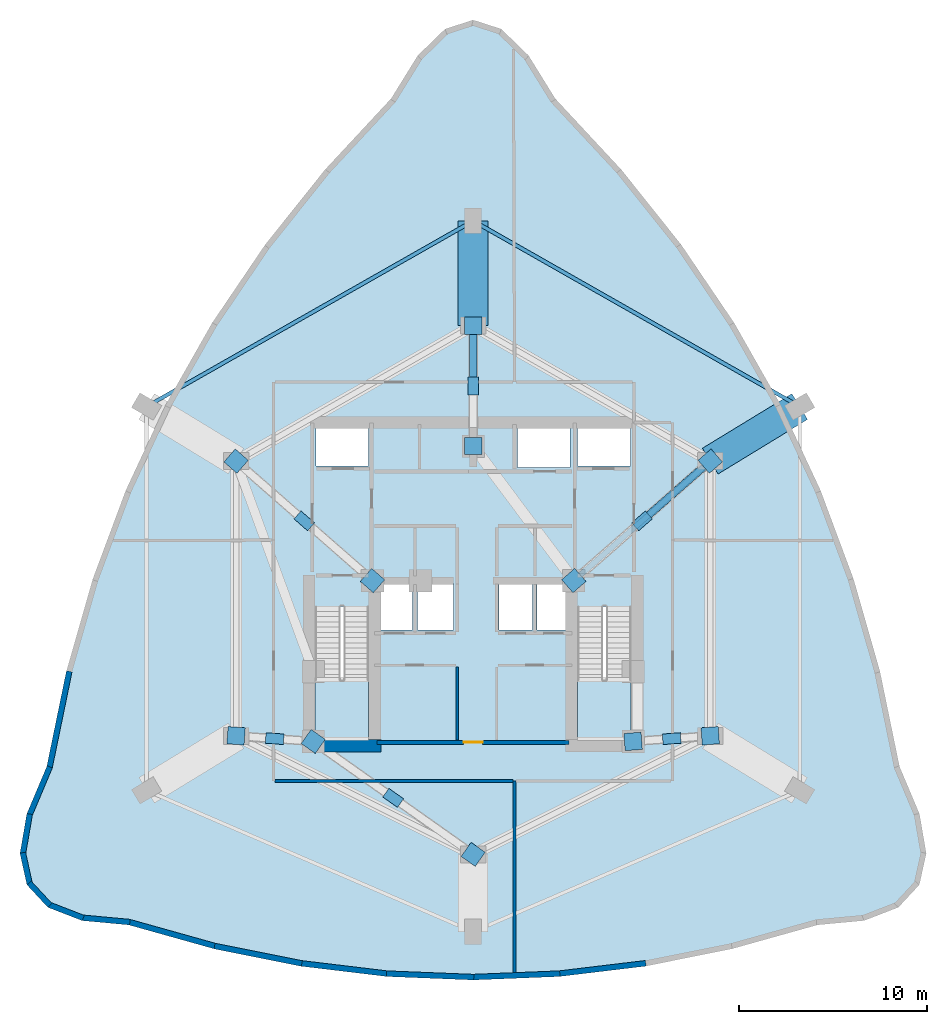
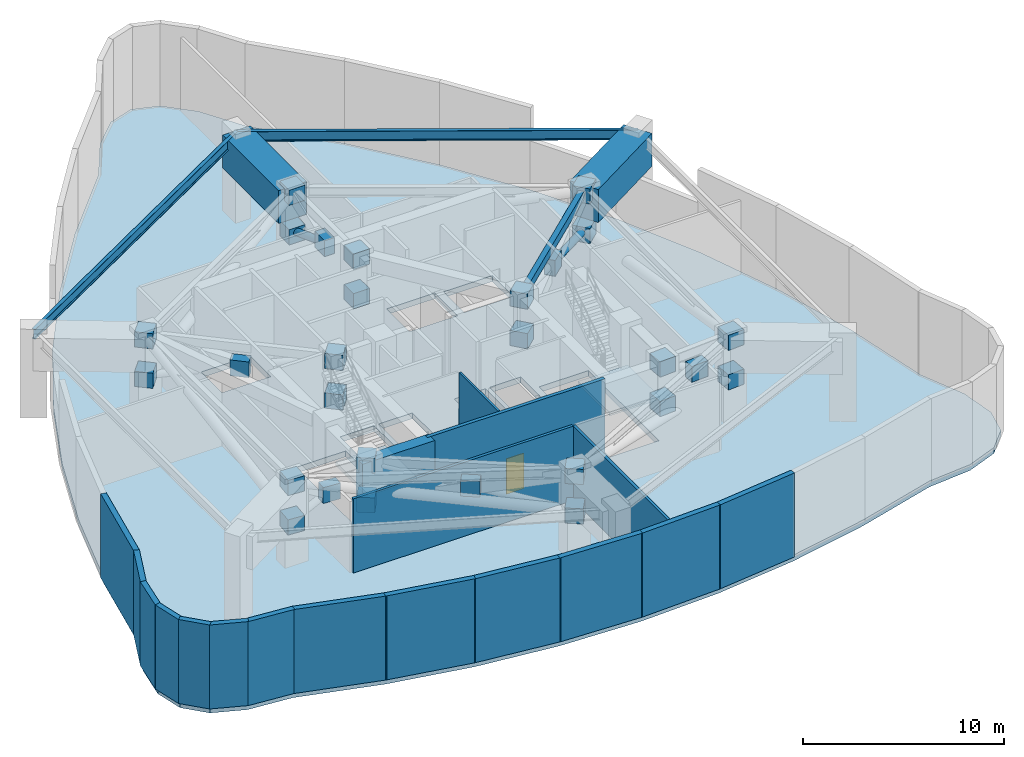
# One storey, part 2 of 6: 28 plates, 18 walls, 4 beams, 3 members, 3 slabs, 1 door, 1 opening, 2 elements without a shape of their own.
"""IFC4 building model written with IfcOpenShell, lengths in metres."""

import ifcopenshell
import ifcopenshell.guid

model = None  # the IFC model being written
_history = None  # IfcOwnerHistory: only IFC2X3 demands one
_inside = {}  # id of a spatial element -> (the spatial element, [elements in it])
_under = {}  # id of a project, library or spatial element -> (it, [spatial elements below it])
_declared = {}  # id of a project -> (the project, [libraries it declares])
_typed = {}  # id of a type object -> (the type object, [elements of that type])
_made_of = {}  # id of a material, layer set ... -> (it, [elements and type objects made of it])


def new_model(schema):
    """Start an empty IFC model of exactly this schema.

    Asked for "IFC4X3", IfcOpenShell would pick the latest addendum, in which some entities
    have other attributes; the version numbers below select the first issue.
    IFC2X3 requires an IfcOwnerHistory on every rooted entity: one is made here for all.
    """
    global model, _history
    if schema == "IFC4X3":
        model = ifcopenshell.file(schema_version=(4, 3, 0, 0))
    else:
        model = ifcopenshell.file(schema=schema)
    _inside.clear()
    _under.clear()
    _declared.clear()
    _typed.clear()
    _made_of.clear()
    _history = None
    if model.schema == "IFC2X3":
        org = make("IfcOrganization", Name="unknown")
        user = make(
            "IfcPersonAndOrganization",
            ThePerson=make("IfcPerson", FamilyName="unknown"),
            TheOrganization=org,
        )
        app = make(
            "IfcApplication",
            ApplicationDeveloper=org,
            Version="unknown",
            ApplicationFullName="unknown",
            ApplicationIdentifier="unknown",
        )
        _history = make(
            "IfcOwnerHistory",
            OwningUser=user,
            OwningApplication=app,
            ChangeAction="ADDED",
            CreationDate=0,
        )
    return model


def make(cls, **values):
    """One entity of the class cls with the attributes given. An attribute that is None is left unset."""
    return model.create_entity(
        cls, **{name: value for name, value in values.items() if value is not None}
    )


def rooted(cls, **values):
    """An entity with a GlobalId (a new one), such as an element, a storey or a relation."""
    return make(cls, GlobalId=ifcopenshell.guid.new(), OwnerHistory=_history, **values)


def si_unit(unit_type, name, prefix=None):
    """IfcSIUnit, for example si_unit("LENGTHUNIT", "METRE", prefix="MILLI")."""
    return make("IfcSIUnit", UnitType=unit_type, Prefix=prefix, Name=name)


def assignment(units):
    """IfcUnitAssignment: the units of a project."""
    return None if units is None else make("IfcUnitAssignment", Units=units)


def point(xyz):
    """IfcCartesianPoint."""
    return None if xyz is None else make("IfcCartesianPoint", Coordinates=xyz)


def direction(xyz):
    """IfcDirection."""
    return None if xyz is None else make("IfcDirection", DirectionRatios=xyz)


def frame(location, z_axis=None, x_axis=None):
    """IfcAxis2Placement3D, a coordinate frame: its origin and axes. An axis left out is left unset."""
    return make(
        "IfcAxis2Placement3D",
        Location=point(location),
        Axis=direction(z_axis),
        RefDirection=direction(x_axis),
    )


def frame_2d(location, x_axis=None):
    """IfcAxis2Placement2D, a coordinate frame in the plane: its origin and x axis."""
    return make(
        "IfcAxis2Placement2D", Location=point(location), RefDirection=direction(x_axis)
    )


def origin():
    """The frame at (0, 0, 0) with its axes left unset."""
    return frame((0.0, 0.0, 0.0))


def origin_2d():
    """The frame at (0, 0) in the plane with its x axis left unset."""
    return frame_2d((0.0, 0.0))


def place(relative_to, where):
    """IfcLocalPlacement: puts the frame where relative to a parent placement (None: the world)."""
    return make(
        "IfcLocalPlacement", PlacementRelTo=relative_to, RelativePlacement=where
    )


def context(
    kind, dimensions, precision=None, world=None, true_north=None, identifier=None
):
    """IfcGeometricRepresentationContext, for example the 3D "Model" context."""
    return make(
        "IfcGeometricRepresentationContext",
        ContextIdentifier=identifier,
        ContextType=kind,
        CoordinateSpaceDimension=dimensions,
        Precision=precision,
        WorldCoordinateSystem=world,
        TrueNorth=true_north,
    )


def subcontext(parent, identifier, kind, view, scale=None):
    """IfcGeometricRepresentationSubContext, for example "Body" below "Model"."""
    return make(
        "IfcGeometricRepresentationSubContext",
        ContextIdentifier=identifier,
        ContextType=kind,
        ParentContext=parent,
        TargetScale=scale,
        TargetView=view,
    )


def project(units=None, contexts=None):
    """IfcProject with its units and contexts."""
    return rooted(
        "IfcProject",
        Name="project",
        RepresentationContexts=contexts,
        UnitsInContext=assignment(units),
    )


def spatial(cls, under=None, at=None, **own):
    """A site, building, storey or space (cls), placed at a placement, below another one or the project."""
    s = rooted(cls, ObjectPlacement=at, **own)
    if under is not None:
        _under.setdefault(under.id(), (under, []))[1].append(s)
    return s


def polyline(points):
    """IfcPolyline through the points."""
    return make("IfcPolyline", Points=[point(p) for p in points])


def profile(cls, at=None, kind="AREA", **sizes):
    """A parametric profile (cls). Its sizes go by their IFC names, for example OverallWidth=200.0."""
    return make(cls, ProfileType=kind, Position=at, **sizes)


def rectangle(**sizes):
    """IfcRectangleProfileDef."""
    return profile("IfcRectangleProfileDef", **sizes)


def hollow_rectangle(**sizes):
    """IfcRectangleHollowProfileDef."""
    return profile("IfcRectangleHollowProfileDef", **sizes)


def hollow_circle(**sizes):
    """IfcCircleHollowProfileDef."""
    return profile("IfcCircleHollowProfileDef", **sizes)


def i_section(**sizes):
    """IfcIShapeProfileDef."""
    return profile("IfcIShapeProfileDef", **sizes)


def outline(outer, holes=None, kind="AREA"):
    """IfcArbitraryClosedProfileDef: a profile drawn as a closed curve; with holes, ...WithVoids."""
    if holes is None:
        return make("IfcArbitraryClosedProfileDef", ProfileType=kind, OuterCurve=outer)
    return make(
        "IfcArbitraryProfileDefWithVoids",
        ProfileType=kind,
        OuterCurve=outer,
        InnerCurves=holes,
    )


def extrude(swept, where, along, depth):
    """IfcExtrudedAreaSolid: the profile swept, set in the frame where, extruded along a direction by depth."""
    return make(
        "IfcExtrudedAreaSolid",
        SweptArea=swept,
        Position=where,
        ExtrudedDirection=direction(along),
        Depth=depth,
    )


def shape(context_of_items, identifier, shape_type, items):
    """IfcShapeRepresentation: the items that make up one representation, for example the "Body"."""
    return make(
        "IfcShapeRepresentation",
        ContextOfItems=context_of_items,
        RepresentationIdentifier=identifier,
        RepresentationType=shape_type,
        Items=items,
    )


def material(Name=None, Category=None):
    """IfcMaterial."""
    return make("IfcMaterial", Name=Name, Category=Category)


def layer(
    of_material, thickness, ventilated=None, Name=None, Category=None, Priority=None
):
    """IfcMaterialLayer: one layer of a wall or slab, of a material (None: an air gap)."""
    return make(
        "IfcMaterialLayer",
        Material=of_material,
        LayerThickness=thickness,
        IsVentilated=ventilated,
        Name=Name,
        Category=Category,
        Priority=Priority,
    )


def layer_set(layers, Name=None):
    """IfcMaterialLayerSet."""
    return make("IfcMaterialLayerSet", MaterialLayers=layers, LayerSetName=Name)


def material_profile(
    of_material, cross_section, Name=None, Category=None, Priority=None
):
    """IfcMaterialProfile: a cross section and its material."""
    return make(
        "IfcMaterialProfile",
        Name=Name,
        Material=of_material,
        Profile=cross_section,
        Priority=Priority,
        Category=Category,
    )


def profile_set(profiles, Name=None, composite=None):
    """IfcMaterialProfileSet."""
    return make(
        "IfcMaterialProfileSet",
        Name=Name,
        MaterialProfiles=profiles,
        CompositeProfile=composite,
    )


def made_of(thing, what):
    """Note that an element or type object is made of a material, layer set ...; save() writes the relation."""
    if what is not None:
        _made_of.setdefault(what.id(), (what, []))[1].append(thing)
    return thing


def type_object(cls, material=None, **own):
    """A type object (cls), such as IfcWallType, which elements share."""
    return made_of(rooted(cls, **own), material)


def element(
    cls,
    number,
    at=None,
    inside=None,
    cuts=None,
    type_object=None,
    material=None,
    context=None,
    identifier="Body",
    shape_type=None,
    held_by="IfcProductDefinitionShape",
    body=None,
    shapes=None,
    **own,
):
    """One element of the class cls, such as IfcWall. Its Tag is "e" and its number.

    at: its placement. inside: the storey or other place that contains it. cuts: it is an
    opening in that element (IfcRelVoidsElement). A single representation is given by context,
    identifier, shape_type and body (its items); several are given by shapes. held_by: the class
    of the entity that holds the representations. save() writes the other relations.
    """
    e = rooted(cls, Tag="e%d" % number, ObjectPlacement=at, **own)
    if body is not None:
        shapes = [shape(context, identifier, shape_type, body)]
    if shapes is not None:
        e.Representation = make(held_by, Representations=shapes)
    if inside is not None:
        _inside.setdefault(inside.id(), (inside, []))[1].append(e)
    if cuts is not None:
        rooted(
            "IfcRelVoidsElement", RelatingBuildingElement=cuts, RelatedOpeningElement=e
        )
    if type_object is not None:
        _typed.setdefault(type_object.id(), (type_object, []))[1].append(e)
    return made_of(e, material)


def fill(opening, filler):
    """IfcRelFillsElement: the door or window that sits in an opening."""
    return rooted(
        "IfcRelFillsElement",
        RelatingOpeningElement=opening,
        RelatedBuildingElement=filler,
    )


def aggregate(whole, parts):
    """IfcRelAggregates: a whole, such as a stair, and the parts it consists of."""
    return rooted("IfcRelAggregates", RelatingObject=whole, RelatedObjects=parts)


def save(model, path):
    """Write the relations noted so far, then the file.

    IfcRelAggregates (storeys below a building ...), IfcRelContainedInSpatialStructure (elements
    in a storey), IfcRelDefinesByType, IfcRelAssociatesMaterial and IfcRelDeclares: one each for
    every whole, place, type object, material and project.
    """
    for whole, parts in _under.values():
        aggregate(whole, parts)
    for where, things in _inside.values():
        rooted(
            "IfcRelContainedInSpatialStructure",
            RelatedElements=things,
            RelatingStructure=where,
        )
    for kind, things in _typed.values():
        rooted("IfcRelDefinesByType", RelatedObjects=things, RelatingType=kind)
    for what, things in _made_of.values():
        rooted("IfcRelAssociatesMaterial", RelatedObjects=things, RelatingMaterial=what)
    for by, libraries in _declared.values():
        rooted("IfcRelDeclares", RelatingContext=by, RelatedDefinitions=libraries)
    model.write(path)


model = new_model("IFC4")

# Units and contexts
model_context = context("Model", 3, precision=1e-05, world=origin(), true_north=direction((0.0, 1.0)))
body_context = subcontext(model_context, "Body", "Model", "MODEL_VIEW")
ifc_project = project(units=[si_unit("LENGTHUNIT", "METRE"), si_unit("AREAUNIT", "SQUARE_METRE"), si_unit("VOLUMEUNIT", "CUBIC_METRE"), si_unit("PLANEANGLEUNIT", "RADIAN"), si_unit("MASSUNIT", "GRAM", prefix="KILO")], contexts=[model_context])

# Site, building, storey
site_placement = place(None, origin())
site = spatial("IfcSite", under=ifc_project, at=site_placement, CompositionType="ELEMENT")
building_placement = place(site_placement, origin())
building = spatial("IfcBuilding", under=site, at=building_placement, Name="Miruveldt Soraemaru", CompositionType="ELEMENT")
storey_placement = place(building_placement, frame((0.0, 0.0, 90.39990234375)))
storey = spatial("IfcBuildingStorey", under=building, at=storey_placement, Name="L25", CompositionType="ELEMENT", Elevation=90.39990234375)

# Beams
ifc_material_1 = material(Name="Steel SM355 (355 MPa)", Category="steel")
ifc_material_profile_1 = material_profile(ifc_material_1, i_section(OverallWidth=0.199951171875, OverallDepth=0.60009765625, WebThickness=0.010986328125, FlangeThickness=0.01708984375, FilletRadius=0.02197265625, at=origin_2d()), Name="Steel SM355 (355 MPa)", Category="steel")
ifc_profile_set_1 = profile_set([ifc_material_profile_1], Name="Steel SM355 (355 MPa)")
beam_type_1 = type_object("IfcBeamType", Name="BM-ST-H600", PredefinedType="SPANDREL", material=ifc_profile_set_1)
for number, where, z_axis, x_axis, name in (
    (1, (44.0, 63.16796875, 4.800048828125), (0.869314947608, -0.494258557706, 0.0), (0.494258557706, 0.869314947608, 0.0), "L25 Zone-1 Spandrel Beam 1"),
    (2, (26.64404296875, 53.300048828125, 4.800048828125), (0.869314947608, 0.494258557706, 0.0), (-0.494258557706, 0.869314947608, 0.0), "L25 Zone-1 Spandrel Beam 6"),
):
    element("IfcBeam", number, at=place(storey_placement, frame(where, z_axis=z_axis, x_axis=x_axis)), inside=storey, type_object=beam_type_1, Name=name, PredefinedType="SPANDREL", context=body_context, shape_type="SweptSolid", body=[
        extrude(i_section(OverallWidth=0.199951171875, OverallDepth=0.60009765625, WebThickness=0.010986328125, FlangeThickness=0.01708984375, FilletRadius=0.02197265625, at=origin_2d()), origin(), (0.0, 0.0, 1.0), 19.965087890625),
    ])
ifc_material_2 = material(Name="Concrete C70/85 (70 MPa)", Category="concrete")
ifc_material_profile_2 = material_profile(ifc_material_2, rectangle(XDim=1.60009765625, YDim=2.0, at=origin_2d()), Name="Concrete C70/85 (70 MPa)", Category="concrete")
ifc_profile_set_2 = profile_set([ifc_material_profile_2], Name="Concrete C70/85 (70 MPa)")
beam_type_2 = type_object("IfcBeamType", Name="BM-TG-1600x2000", PredefinedType="USERDEFINED", material=ifc_profile_set_2)
beam_1_placement = place(storey_placement, frame((44.0, 57.60009765625, 4.10009765625), z_axis=(0.0, 1.0, 0.0), x_axis=(-1.0, 0.0, 0.0)))
element("IfcBeam", 3, at=beam_1_placement, inside=storey, type_object=beam_type_2, Name="L25 Continuous Zone-2 Transfer Girder 1", ObjectType="TRANSFER GIRDER", PredefinedType="USERDEFINED", context=body_context, shape_type="SweptSolid", body=[
    extrude(rectangle(XDim=1.60009765625, YDim=2.0, at=origin_2d()), origin(), (0.0, 0.0, 1.0), 5.56787109375),
])
beam_2_placement = place(storey_placement, frame((56.60009765625, 50.39990234375, 4.10009765625), z_axis=(0.853777644156, 0.520637814935, 0.0), x_axis=(-0.520637814935, 0.853777644156, 0.0)))
element("IfcBeam", 4, at=beam_2_placement, inside=storey, type_object=beam_type_2, Name="L25 Continuous Zone-2 Transfer Girder 2", ObjectType="TRANSFER GIRDER", PredefinedType="USERDEFINED", context=body_context, shape_type="SweptSolid", body=[
    extrude(rectangle(XDim=1.60009765625, YDim=2.0, at=origin_2d()), origin(), (0.0, 0.0, 1.0), 5.5703125),
])

# Members
ifc_material_3 = material(Name="Steel S460 (460 MPa)", Category="steel")
ifc_material_profile_3 = material_profile(ifc_material_3, hollow_rectangle(XDim=0.300048828125, YDim=0.5, WallThickness=0.02001953125, at=origin_2d()), Name="Steel S460 (460 MPa)", Category="steel")
ifc_profile_set_3 = profile_set([ifc_material_profile_3], Name="Steel S460 (460 MPa)")
member_type_1 = type_object("IfcMemberType", Name="MEM-CHD-RHS500", PredefinedType="CHORD", material=ifc_profile_set_3)
member_1_placement = place(storey_placement, frame((49.35009765625, 44.050048828125, 4.820068359375), z_axis=(0.752262759904, 0.658863218021, 0.0), x_axis=(-0.658863218021, 0.752262759904, 0.0)))
element("IfcMember", 5, at=member_1_placement, inside=storey, type_object=member_type_1, Name="L25 Outrigger Top Chord 2", PredefinedType="CHORD", context=body_context, shape_type="SweptSolid", body=[
    extrude(hollow_rectangle(XDim=0.300048828125, YDim=0.5, WallThickness=0.02001953125, at=origin_2d()), origin(), (0.0, 0.0, 1.0), 9.6376953125),
])
ifc_material_profile_4 = material_profile(ifc_material_3, hollow_circle(Radius=0.203125, WallThickness=0.01611328125, at=origin_2d()), Name="Steel S460 (460 MPa)", Category="steel")
ifc_profile_set_4 = profile_set([ifc_material_profile_4], Name="Steel S460 (460 MPa)")
member_type_2 = type_object("IfcMemberType", Name="MEM-STR-CHS406", PredefinedType="STRUT", material=ifc_profile_set_4)
member_2_placement = place(storey_placement, frame((44.0, 54.39990234375, 3.6201171875), z_axis=(0.0, 0.936340919421, -0.351092128391), x_axis=(-1.0, 0.0, 0.0)))
element("IfcMember", 6, at=member_2_placement, inside=storey, type_object=member_type_2, Name="L25 Outrigger Split Strut Lower 1B", PredefinedType="STRUT", context=body_context, shape_type="SweptSolid", body=[
    extrude(hollow_circle(Radius=0.203125, WallThickness=0.01611328125, at=origin_2d()), origin(), (0.0, 0.0, 1.0), 3.417724609375),
])
member_3_placement = place(storey_placement, frame((52.97509765625, 47.22509765625, 3.6201171875), z_axis=(0.729982452121, 0.639324609872, -0.241639530723), x_axis=(-0.658848882232, 0.752275315547, 0.0)))
element("IfcMember", 7, at=member_3_placement, inside=storey, type_object=member_type_2, Name="L25 Outrigger Split Strut Lower 2B", PredefinedType="STRUT", context=body_context, shape_type="SweptSolid", body=[
    extrude(hollow_circle(Radius=0.203125, WallThickness=0.01611328125, at=origin_2d()), origin(), (0.0, 0.0, 1.0), 4.9658203125),
])

# Plates
ifc_layer_1 = layer(ifc_material_3, 0.028076171875, Name="Steel S460 (460 MPa)", Category="steel")
ifc_layer_set_1 = layer_set([ifc_layer_1], Name="Steel S460 (460 MPa)")
plate_type = type_object("IfcPlateType", Name="PLT-GUSSET-28", PredefinedType="USERDEFINED", material=ifc_layer_set_1)
plate_1_placement = place(storey_placement, frame((44.0, 54.39990234375, 3.14013671875), z_axis=(0.0, 0.0, 1.0), x_axis=(0.0, 1.0, 0.0)))
element("IfcPlate", 8, at=plate_1_placement, inside=storey, type_object=plate_type, Name="L25 Outrigger X-Brace Crossing Gusset Plate 1", ObjectType="GUSSET", PredefinedType="USERDEFINED", context=body_context, shape_type="SweptSolid", body=[
    extrude(rectangle(XDim=0.9599609375, YDim=0.56005859375, at=origin_2d()), origin(), (0.0, 0.0, 1.0), 0.9599609375),
])
for number, where, z_axis, x_axis, name in (
    (9, (44.0, 51.199951171875, 1.960205078125), (0.0, 0.0, 1.0), (0.0, 1.0, 0.0), "L25 Outrigger Node Gusset Plate 1CB"),
    (10, (44.0, 51.199951171875, 4.360107421875), (0.0, 0.0, 1.0), (0.0, 1.0, 0.0), "L25 Outrigger Node Gusset Plate 1CT"),
    (11, (44.0, 57.60009765625, 1.960205078125), (0.0, 0.0, 1.0), (0.0, 1.0, 0.0), "L25 Outrigger Node Gusset Plate 1IB"),
    (12, (44.0, 57.60009765625, 4.360107421875), (0.0, 0.0, 1.0), (0.0, 1.0, 0.0), "L25 Outrigger Node Gusset Plate 1IT"),
):
    element("IfcPlate", number, at=place(storey_placement, frame(where, z_axis=z_axis, x_axis=x_axis)), inside=storey, type_object=plate_type, Name=name, ObjectType="GUSSET", PredefinedType="USERDEFINED", context=body_context, shape_type="SweptSolid", body=[
        extrude(rectangle(XDim=0.919921875, YDim=0.919921875, at=origin_2d()), origin(), (0.0, 0.0, 1.0), 0.919921875),
    ])
plate_2_placement = place(storey_placement, frame((52.97509765625, 47.22509765625, 3.14013671875), z_axis=(0.0, 0.0, 1.0), x_axis=(0.752299934438, 0.658820771261, 0.0)))
element("IfcPlate", 13, at=plate_2_placement, inside=storey, type_object=plate_type, Name="L25 Outrigger X-Brace Crossing Gusset Plate 2", ObjectType="GUSSET", PredefinedType="USERDEFINED", context=body_context, shape_type="SweptSolid", body=[
    extrude(rectangle(XDim=0.9599609375, YDim=0.56005859375, at=origin_2d()), origin(), (0.0, 0.0, 1.0), 0.9599609375),
])
for number, where, z_axis, x_axis, name in (
    (14, (49.35009765625, 44.050048828125, 1.960205078125), (0.0, 0.0, 1.0), (0.752299934438, 0.658820771261, 0.0), "L25 Outrigger Node Gusset Plate 2CB"),
    (15, (49.35009765625, 44.050048828125, 4.360107421875), (0.0, 0.0, 1.0), (0.752299934438, 0.658820771261, 0.0), "L25 Outrigger Node Gusset Plate 2CT"),
    (16, (56.60009765625, 50.39990234375, 1.960205078125), (0.0, 0.0, 1.0), (0.752299934438, 0.658820771261, 0.0), "L25 Outrigger Node Gusset Plate 2IB"),
    (17, (56.60009765625, 50.39990234375, 4.360107421875), (0.0, 0.0, 1.0), (0.752299934438, 0.658820771261, 0.0), "L25 Outrigger Node Gusset Plate 2IT"),
):
    element("IfcPlate", number, at=place(storey_placement, frame(where, z_axis=z_axis, x_axis=x_axis)), inside=storey, type_object=plate_type, Name=name, ObjectType="GUSSET", PredefinedType="USERDEFINED", context=body_context, shape_type="SweptSolid", body=[
        extrude(rectangle(XDim=0.919921875, YDim=0.919921875, at=origin_2d()), origin(), (0.0, 0.0, 1.0), 0.919921875),
    ])
plate_3_placement = place(storey_placement, frame((54.550048828125, 35.64990234375, 3.14013671875), z_axis=(0.0, 0.0, 1.0), x_axis=(0.997339981418, 0.072890064247, 0.0)))
element("IfcPlate", 18, at=plate_3_placement, inside=storey, type_object=plate_type, Name="L25 Outrigger X-Brace Crossing Gusset Plate 3", ObjectType="GUSSET", PredefinedType="USERDEFINED", context=body_context, shape_type="SweptSolid", body=[
    extrude(rectangle(XDim=0.9599609375, YDim=0.56005859375, at=origin_2d()), origin(), (0.0, 0.0, 1.0), 0.9599609375),
])
for number, where, z_axis, x_axis, name in (
    (19, (52.5, 35.5, 1.960205078125), (0.0, 0.0, 1.0), (0.997339981418, 0.072890064247, 0.0), "L25 Outrigger Node Gusset Plate 3CB"),
    (20, (52.5, 35.5, 4.360107421875), (0.0, 0.0, 1.0), (0.997339981418, 0.072890064247, 0.0), "L25 Outrigger Node Gusset Plate 3CT"),
    (21, (56.60009765625, 35.800048828125, 1.960205078125), (0.0, 0.0, 1.0), (0.997339981418, 0.072890064247, 0.0), "L25 Outrigger Node Gusset Plate 3IB"),
    (22, (56.60009765625, 35.800048828125, 4.360107421875), (0.0, 0.0, 1.0), (0.997339981418, 0.072890064247, 0.0), "L25 Outrigger Node Gusset Plate 3IT"),
):
    element("IfcPlate", number, at=place(storey_placement, frame(where, z_axis=z_axis, x_axis=x_axis)), inside=storey, type_object=plate_type, Name=name, ObjectType="GUSSET", PredefinedType="USERDEFINED", context=body_context, shape_type="SweptSolid", body=[
        extrude(rectangle(XDim=0.919921875, YDim=0.919921875, at=origin_2d()), origin(), (0.0, 0.0, 1.0), 0.919921875),
    ])
plate_4_placement = place(storey_placement, frame((39.75, 32.5, 3.14013671875), z_axis=(0.0, 0.0, 1.0), x_axis=(0.816943635719, -0.576717518425, 0.0)))
element("IfcPlate", 23, at=plate_4_placement, inside=storey, type_object=plate_type, Name="L25 Outrigger X-Brace Crossing Gusset Plate 4", ObjectType="GUSSET", PredefinedType="USERDEFINED", context=body_context, shape_type="SweptSolid", body=[
    extrude(rectangle(XDim=0.9599609375, YDim=0.56005859375, at=origin_2d()), origin(), (0.0, 0.0, 1.0), 0.9599609375),
])
for number, where, z_axis, x_axis, name in (
    (24, (35.5, 35.5, 1.960205078125), (0.0, 0.0, 1.0), (0.816943635719, -0.576717518425, 0.0), "L25 Outrigger Node Gusset Plate 4CB"),
    (25, (35.5, 35.5, 4.360107421875), (0.0, 0.0, 1.0), (0.816943635719, -0.576717518425, 0.0), "L25 Outrigger Node Gusset Plate 4CT"),
    (26, (44.0, 29.5, 1.960205078125), (0.0, 0.0, 1.0), (0.816943635719, -0.576717518425, 0.0), "L25 Outrigger Node Gusset Plate 4IB"),
    (27, (44.0, 29.5, 4.360107421875), (0.0, 0.0, 1.0), (0.816943635719, -0.576717518425, 0.0), "L25 Outrigger Node Gusset Plate 4IT"),
):
    element("IfcPlate", number, at=place(storey_placement, frame(where, z_axis=z_axis, x_axis=x_axis)), inside=storey, type_object=plate_type, Name=name, ObjectType="GUSSET", PredefinedType="USERDEFINED", context=body_context, shape_type="SweptSolid", body=[
        extrude(rectangle(XDim=0.919921875, YDim=0.919921875, at=origin_2d()), origin(), (0.0, 0.0, 1.0), 0.919921875),
    ])
plate_5_placement = place(storey_placement, frame((33.449951171875, 35.64990234375, 3.14013671875), z_axis=(0.0, 0.0, 1.0), x_axis=(-0.997339981418, 0.072890064247, 0.0)))
element("IfcPlate", 28, at=plate_5_placement, inside=storey, type_object=plate_type, Name="L25 Outrigger X-Brace Crossing Gusset Plate 5", ObjectType="GUSSET", PredefinedType="USERDEFINED", context=body_context, shape_type="SweptSolid", body=[
    extrude(rectangle(XDim=0.9599609375, YDim=0.56005859375, at=origin_2d()), origin(), (0.0, 0.0, 1.0), 0.9599609375),
])
for number, where, z_axis, x_axis, name in (
    (29, (31.39990234375, 35.800048828125, 1.960205078125), (0.0, 0.0, 1.0), (-0.997339981418, 0.072890064247, 0.0), "L25 Outrigger Node Gusset Plate 5IB"),
    (30, (31.39990234375, 35.800048828125, 4.360107421875), (0.0, 0.0, 1.0), (-0.997339981418, 0.072890064247, 0.0), "L25 Outrigger Node Gusset Plate 5IT"),
):
    element("IfcPlate", number, at=place(storey_placement, frame(where, z_axis=z_axis, x_axis=x_axis)), inside=storey, type_object=plate_type, Name=name, ObjectType="GUSSET", PredefinedType="USERDEFINED", context=body_context, shape_type="SweptSolid", body=[
        extrude(rectangle(XDim=0.919921875, YDim=0.919921875, at=origin_2d()), origin(), (0.0, 0.0, 1.0), 0.919921875),
    ])
plate_6_placement = place(storey_placement, frame((35.02490234375, 47.22509765625, 3.14013671875), z_axis=(0.0, 0.0, 1.0), x_axis=(-0.752299934438, 0.658820771261, 0.0)))
element("IfcPlate", 31, at=plate_6_placement, inside=storey, type_object=plate_type, Name="L25 Outrigger X-Brace Crossing Gusset Plate 6", ObjectType="GUSSET", PredefinedType="USERDEFINED", context=body_context, shape_type="SweptSolid", body=[
    extrude(rectangle(XDim=0.9599609375, YDim=0.56005859375, at=origin_2d()), origin(), (0.0, 0.0, 1.0), 0.9599609375),
])
for number, where, z_axis, x_axis, name in (
    (32, (38.64990234375, 44.050048828125, 1.960205078125), (0.0, 0.0, 1.0), (-0.752299934438, 0.658820771261, 0.0), "L25 Outrigger Node Gusset Plate 6CB"),
    (33, (38.64990234375, 44.050048828125, 4.360107421875), (0.0, 0.0, 1.0), (-0.752299934438, 0.658820771261, 0.0), "L25 Outrigger Node Gusset Plate 6CT"),
    (34, (31.39990234375, 50.39990234375, 1.960205078125), (0.0, 0.0, 1.0), (-0.752299934438, 0.658820771261, 0.0), "L25 Outrigger Node Gusset Plate 6IB"),
    (35, (31.39990234375, 50.39990234375, 4.360107421875), (0.0, 0.0, 1.0), (-0.752299934438, 0.658820771261, 0.0), "L25 Outrigger Node Gusset Plate 6IT"),
):
    element("IfcPlate", number, at=place(storey_placement, frame(where, z_axis=z_axis, x_axis=x_axis)), inside=storey, type_object=plate_type, Name=name, ObjectType="GUSSET", PredefinedType="USERDEFINED", context=body_context, shape_type="SweptSolid", body=[
        extrude(rectangle(XDim=0.919921875, YDim=0.919921875, at=origin_2d()), origin(), (0.0, 0.0, 1.0), 0.919921875),
    ])

# Stair, slab
ifc_material_4 = material(Name="Concrete C40/50 (40 MPa)", Category="concrete")
stair_type = type_object("IfcStairType", Name="STAIR-DL-540", PredefinedType="HALF_TURN_STAIR", material=ifc_material_4)
stair_1_placement = place(storey_placement, origin())
stair_1 = element("IfcStair", 36, at=stair_1_placement, inside=storey, type_object=stair_type, Name="L25 Protected Exit Stair ST-1", PredefinedType="HALF_TURN_STAIR")
ifc_layer_2 = layer(ifc_material_4, 0.199951171875, Name="Concrete C40/50 (40 MPa)", Category="concrete")
ifc_layer_set_2 = layer_set([ifc_layer_2], Name="Concrete C40/50 (40 MPa)")
slab_type_1 = type_object("IfcSlabType", Name="SLAB-LAND-200", PredefinedType="LANDING", material=ifc_layer_set_2)
slab_1_placement = place(storey_placement, frame((0.0, 0.0, 2.5)))
slab_1 = element("IfcSlab", 37, at=slab_1_placement, type_object=slab_type_1, Name="ST-1 landing 1", PredefinedType="LANDING", context=body_context, shape_type="SweptSolid", body=[
    extrude(outline(polyline([(35.60009765625, 38.798095703125), (35.60009765625, 35.64990234375), (38.449951171875, 35.64990234375), (38.449951171875, 38.798095703125), (35.60009765625, 38.798095703125)])), origin(), (0.0, 0.0, 1.0), 0.2001953125),
])
aggregate(stair_1, [slab_1])

stair_2_placement = place(storey_placement, origin())
stair_2 = element("IfcStair", 38, at=stair_2_placement, inside=storey, type_object=stair_type, Name="L25 Protected Exit Stair ST-2", PredefinedType="HALF_TURN_STAIR")
slab_2_placement = place(storey_placement, frame((0.0, 0.0, 2.5)))
slab_2 = element("IfcSlab", 39, at=slab_2_placement, type_object=slab_type_1, Name="ST-2 landing 1", PredefinedType="LANDING", context=body_context, shape_type="SweptSolid", body=[
    extrude(outline(polyline([(49.550048828125, 38.798095703125), (49.550048828125, 35.64990234375), (52.39990234375, 35.64990234375), (52.39990234375, 38.798095703125), (49.550048828125, 38.798095703125)])), origin(), (0.0, 0.0, 1.0), 0.2001953125),
])
aggregate(stair_2, [slab_2])

# Slab
ifc_material_5 = material(Name="Concrete C50/60 (50 MPa)", Category="concrete")
ifc_layer_3 = layer(ifc_material_5, 0.35009765625, Name="Concrete C50/60 (50 MPa)", Category="concrete")
ifc_layer_set_3 = layer_set([ifc_layer_3], Name="Concrete C50/60 (50 MPa)")
slab_type_2 = type_object("IfcSlabType", Name="SLAB-REFG-350", PredefinedType="FLOOR", material=ifc_layer_set_3)
slab_3_placement = place(storey_placement, frame((0.0, 0.0, -0.349853515625)))
element("IfcSlab", 40, at=slab_3_placement, inside=storey, type_object=slab_type_2, Name="L25 Structural Floor Slab", PredefinedType="FLOOR", context=body_context, shape_type="SweptSolid", body=[
    extrude(outline(polyline([(51.76416015625, 65.7880859375), (54.935791015625, 61.8125), (57.75244140625, 57.654052734375), (60.21484375, 53.31298828125), (62.322509765625, 48.7890625), (64.075439453125, 44.082275390625), (65.473876953125, 39.192626953125), (66.517578125, 34.120361328125), (67.577392578125, 31.608154296875), (67.930419921875, 29.552734375), (67.577392578125, 27.9541015625), (66.517578125, 26.812255859375), (64.751708984375, 26.127197265625), (62.279541015625, 25.898681640625), (57.709716796875, 24.619140625), (53.139892578125, 23.705078125), (48.56982421875, 23.156982421875), (44.0, 22.97412109375), (39.43017578125, 23.156982421875), (34.860107421875, 23.705078125), (30.290283203125, 24.619140625), (25.720458984375, 25.898681640625), (23.248291015625, 26.127197265625), (21.482421875, 26.812255859375), (20.422607421875, 27.9541015625), (20.069580078125, 29.552734375), (20.422607421875, 31.608154296875), (21.482421875, 34.120361328125), (22.526123046875, 39.192626953125), (23.924560546875, 44.082275390625), (25.677490234375, 48.7890625), (27.78515625, 53.31298828125), (30.24755859375, 57.654052734375), (33.064208984375, 61.8125), (36.23583984375, 65.7880859375), (39.761962890625, 69.580810546875), (41.174560546875, 71.864501953125), (42.58740234375, 73.23486328125), (44.0, 73.691650390625), (45.41259765625, 73.23486328125), (46.825439453125, 71.864501953125), (48.238037109375, 69.580810546875), (51.76416015625, 65.7880859375)]), holes=[polyline([(35.614990234375, 35.6650390625), (38.43505859375, 35.6650390625), (38.43505859375, 42.68505859375), (35.614990234375, 42.68505859375), (35.614990234375, 35.6650390625)]), polyline([(49.56494140625, 35.6650390625), (52.385009765625, 35.6650390625), (52.385009765625, 42.68505859375), (49.56494140625, 42.68505859375), (49.56494140625, 35.6650390625)]), polyline([(40.764892578125, 41.4150390625), (40.764892578125, 43.885009765625), (38.81494140625, 43.885009765625), (38.81494140625, 41.4150390625), (40.764892578125, 41.4150390625)]), polyline([(42.965087890625, 41.4150390625), (42.965087890625, 43.885009765625), (41.034912109375, 43.885009765625), (41.034912109375, 41.4150390625), (42.965087890625, 41.4150390625)]), polyline([(47.1650390625, 41.4150390625), (47.1650390625, 43.885009765625), (45.364990234375, 43.885009765625), (45.364990234375, 41.4150390625), (47.1650390625, 41.4150390625)]), polyline([(49.18505859375, 41.4150390625), (49.18505859375, 43.885009765625), (47.39501953125, 43.885009765625), (47.39501953125, 41.4150390625), (49.18505859375, 41.4150390625)]), polyline([(38.445068359375, 50.135009765625), (38.445068359375, 52.205078125), (35.635009765625, 52.205078125), (35.635009765625, 50.135009765625), (38.445068359375, 50.135009765625)]), polyline([(49.554931640625, 50.135009765625), (52.364990234375, 50.135009765625), (52.364990234375, 52.205078125), (49.554931640625, 52.205078125), (49.554931640625, 50.135009765625)]), polyline([(46.364990234375, 50.06494140625), (49.135009765625, 50.06494140625), (49.135009765625, 52.3349609375), (46.364990234375, 52.3349609375), (46.364990234375, 50.06494140625)])]), origin(), (0.0, 0.0, 1.0), 0.349853515625),
])

# Walls
ifc_material_6 = material(Name="Concrete C80/95 (80 MPa)", Category="concrete")
ifc_layer_4 = layer(ifc_material_6, 0.64990234375, Name="Concrete C80/95 (80 MPa)", Category="concrete")
ifc_layer_set_4 = layer_set([ifc_layer_4], Name="Concrete C80/95 (80 MPa)")
wall_type_1 = type_object("IfcWallType", Name="WALL-CW-650", PredefinedType="SHEAR", material=ifc_layer_set_4)
wall_1_placement = place(storey_placement, frame((34.949951171875, 35.27490234375, 0.0), z_axis=(0.0, 0.0, 1.0), x_axis=(1.0, 0.0, 0.0)))
element("IfcWall", 41, at=wall_1_placement, inside=storey, type_object=wall_type_1, Name="L25 Central Core Shear Wall S1", PredefinedType="SHEAR", context=body_context, shape_type="SweptSolid", body=[
    extrude(rectangle(XDim=4.150146484375, YDim=0.64990234375, at=frame_2d((2.0751953125, 0.0))), origin(), (0.0, 0.0, 1.0), 5.10009765625),
])
ifc_material_7 = material(Name="Precast concrete C45/55 (45 MPa)", Category="concrete")
ifc_layer_5 = layer(ifc_material_7, 0.300048828125, Name="Precast concrete C45/55 (45 MPa)", Category="concrete")
ifc_layer_set_5 = layer_set([ifc_layer_5], Name="Precast concrete C45/55 (45 MPa)")
wall_type_2 = type_object("IfcWallType", Name="WALL-EXT-PC300", PredefinedType="SOLIDWALL", material=ifc_layer_set_5)
wall_2_placement = place(storey_placement, frame((22.533203125, 39.22705078125, 0.0), z_axis=(0.0, 0.0, 1.0), x_axis=(-0.201587300232, -0.979470551056, 0.0)))
element("IfcWall", 42, at=wall_2_placement, inside=storey, type_object=wall_type_2, Name="L25 Precast Concrete Facade Wall 14", PredefinedType="SOLIDWALL", context=body_context, shape_type="SweptSolid", body=[
    extrude(rectangle(XDim=5.248779296875, YDim=0.300048828125, at=frame_2d((2.62451171875, 0.0))), origin(), (0.0, 0.0, 1.0), 5.10009765625),
])
wall_3_placement = place(storey_placement, frame((21.495849609375, 34.152587890625, 0.0), z_axis=(0.0, 0.0, 1.0), x_axis=(-0.388591648194, -0.921410077519, 0.0)))
element("IfcWall", 43, at=wall_3_placement, inside=storey, type_object=wall_type_2, Name="L25 Precast Concrete Facade Wall 15", PredefinedType="SOLIDWALL", context=body_context, shape_type="SweptSolid", body=[
    extrude(rectangle(XDim=2.79638671875, YDim=0.300048828125, at=frame_2d((1.398193359375, 0.0))), origin(), (0.0, 0.0, 1.0), 5.10009765625),
])
wall_4_placement = place(storey_placement, frame((20.4287109375, 31.642578125, 0.0), z_axis=(0.0, 0.0, 1.0), x_axis=(-0.169337924691, -0.985558048651, 0.0)))
element("IfcWall", 44, at=wall_4_placement, inside=storey, type_object=wall_type_2, Name="L25 Precast Concrete Facade Wall 16", PredefinedType="SOLIDWALL", context=body_context, shape_type="SweptSolid", body=[
    extrude(rectangle(XDim=2.155517578125, YDim=0.300048828125, at=frame_2d((1.07763671875, 0.0))), origin(), (0.0, 0.0, 1.0), 5.10009765625),
])
wall_5_placement = place(storey_placement, frame((20.06201171875, 29.5869140625, 0.0), z_axis=(0.0, 0.0, 1.0), x_axis=(0.21565833033, -0.976468885607, 0.0)))
element("IfcWall", 45, at=wall_5_placement, inside=storey, type_object=wall_type_2, Name="L25 Precast Concrete Facade Wall 17", PredefinedType="SOLIDWALL", context=body_context, shape_type="SweptSolid", body=[
    extrude(rectangle(XDim=1.707275390625, YDim=0.300048828125, at=frame_2d((0.853515625, 0.0))), origin(), (0.0, 0.0, 1.0), 5.10009765625),
])
wall_6_placement = place(storey_placement, frame((20.39892578125, 27.97998046875, 0.0), z_axis=(0.0, 0.0, 1.0), x_axis=(0.680140403354, -0.733081872457, 0.0)))
element("IfcWall", 46, at=wall_6_placement, inside=storey, type_object=wall_type_2, Name="L25 Precast Concrete Facade Wall 18", PredefinedType="SOLIDWALL", context=body_context, shape_type="SweptSolid", body=[
    extrude(rectangle(XDim=1.6279296875, YDim=0.300048828125, at=frame_2d((0.81396484375, 0.0))), origin(), (0.0, 0.0, 1.0), 5.10009765625),
])
wall_7_placement = place(storey_placement, frame((21.44970703125, 26.824951171875, 0.0), z_axis=(0.0, 0.0, 1.0), x_axis=(0.932284328801, -0.361726319575, 0.0)))
element("IfcWall", 47, at=wall_7_placement, inside=storey, type_object=wall_type_2, Name="L25 Precast Concrete Facade Wall 19", PredefinedType="SOLIDWALL", context=body_context, shape_type="SweptSolid", body=[
    extrude(rectangle(XDim=1.964111328125, YDim=0.300048828125, at=frame_2d((0.98193359375, 0.0))), origin(), (0.0, 0.0, 1.0), 5.10009765625),
])
wall_8_placement = place(storey_placement, frame((23.21337890625, 26.13037109375, 0.0), z_axis=(0.0, 0.0, 1.0), x_axis=(0.995758864763, -0.092001539368, 0.0)))
element("IfcWall", 48, at=wall_8_placement, inside=storey, type_object=wall_type_2, Name="L25 Precast Concrete Facade Wall 20", PredefinedType="SOLIDWALL", context=body_context, shape_type="SweptSolid", body=[
    extrude(rectangle(XDim=2.552734375, YDim=0.300048828125, at=frame_2d((1.2763671875, 0.0))), origin(), (0.0, 0.0, 1.0), 5.10009765625),
])
wall_9_placement = place(storey_placement, frame((25.686767578125, 25.908203125, 0.0), z_axis=(0.0, 0.0, 1.0), x_axis=(0.962968231939, -0.269614881407, 0.0)))
element("IfcWall", 49, at=wall_9_placement, inside=storey, type_object=wall_type_2, Name="L25 Precast Concrete Facade Wall 21", PredefinedType="SOLIDWALL", context=body_context, shape_type="SweptSolid", body=[
    extrude(rectangle(XDim=4.8154296875, YDim=0.300048828125, at=frame_2d((2.40771484375, 0.0))), origin(), (0.0, 0.0, 1.0), 5.10009765625),
])
wall_10_placement = place(storey_placement, frame((30.256103515625, 24.626220703125, 0.0), z_axis=(0.0, 0.0, 1.0), x_axis=(0.980568763514, -0.196175686621, 0.0)))
element("IfcWall", 50, at=wall_10_placement, inside=storey, type_object=wall_type_2, Name="L25 Precast Concrete Facade Wall 22", PredefinedType="SOLIDWALL", context=body_context, shape_type="SweptSolid", body=[
    extrude(rectangle(XDim=4.730224609375, YDim=0.300048828125, at=frame_2d((2.365234375, 0.0))), origin(), (0.0, 0.0, 1.0), 5.10009765625),
])
wall_11_placement = place(storey_placement, frame((34.825439453125, 23.70947265625, 0.0), z_axis=(0.0, 0.0, 1.0), x_axis=(0.992872882239, -0.119178184728, 0.0)))
element("IfcWall", 51, at=wall_11_placement, inside=storey, type_object=wall_type_2, Name="L25 Precast Concrete Facade Wall 23", PredefinedType="SOLIDWALL", context=body_context, shape_type="SweptSolid", body=[
    extrude(rectangle(XDim=4.672607421875, YDim=0.300048828125, at=frame_2d((2.33642578125, 0.0))), origin(), (0.0, 0.0, 1.0), 5.10009765625),
])
for number, where, z_axis, x_axis, name in (
    (52, (39.39501953125, 23.158203125, 0.0), (0.0, 0.0, 1.0), (0.9992013786, -0.039957540002, 0.0), "L25 Precast Concrete Facade Wall 24"),
    (53, (43.965087890625, 22.97265625, 0.0), (0.0, 0.0, 1.0), (0.9992013786, 0.039957540002, 0.0), "L25 Precast Concrete Facade Wall 25"),
):
    element("IfcWall", number, at=place(storey_placement, frame(where, z_axis=z_axis, x_axis=x_axis)), inside=storey, type_object=wall_type_2, Name=name, PredefinedType="SOLIDWALL", context=body_context, shape_type="SweptSolid", body=[
        extrude(rectangle(XDim=4.6435546875, YDim=0.300048828125, at=frame_2d((2.32177734375, 0.0))), origin(), (0.0, 0.0, 1.0), 5.10009765625),
    ])
wall_12_placement = place(storey_placement, frame((48.53515625, 23.152587890625, 0.0), z_axis=(0.0, 0.0, 1.0), x_axis=(0.992872882239, 0.119178184728, 0.0)))
element("IfcWall", 54, at=wall_12_placement, inside=storey, type_object=wall_type_2, Name="L25 Precast Concrete Facade Wall 26", PredefinedType="SOLIDWALL", context=body_context, shape_type="SweptSolid", body=[
    extrude(rectangle(XDim=4.672607421875, YDim=0.300048828125, at=frame_2d((2.33642578125, 0.0))), origin(), (0.0, 0.0, 1.0), 5.10009765625),
])
ifc_material_8 = material(Name="Gypsum plasterboard lining", Category="gypsum")
ifc_layer_6 = layer(ifc_material_8, 0.1201171875, Name="Gypsum plasterboard lining", Category="gypsum")
ifc_layer_set_6 = layer_set([ifc_layer_6], Name="Gypsum plasterboard lining")
wall_type_3 = type_object("IfcWallType", Name="WALL-INT-P120", PredefinedType="PARTITIONING", material=ifc_layer_set_6)
wall_13_placement = place(storey_placement, frame((43.14990234375, 35.580078125, 0.0), z_axis=(0.0, 0.0, 1.0), x_axis=(0.0, 1.0, 0.0)))
element("IfcWall", 55, at=wall_13_placement, inside=storey, type_object=wall_type_3, Name="L25 Core Compartment Wall SP-WS", PredefinedType="PARTITIONING", context=body_context, shape_type="SweptSolid", body=[
    extrude(rectangle(XDim=3.869873046875, YDim=0.1201171875, at=frame_2d((1.93505859375, 0.0))), origin(), (0.0, 0.0, 1.0), 5.10009765625),
])
ifc_layer_7 = layer(ifc_material_4, 0.159912109375, Name="Concrete C40/50 (40 MPa)", Category="concrete")
ifc_layer_set_7 = layer_set([ifc_layer_7], Name="Concrete C40/50 (40 MPa)")
wall_type_4 = type_object("IfcWallType", Name="WALL-INT-RC160", PredefinedType="SOLIDWALL", material=ifc_layer_set_7)
wall_14_placement = place(storey_placement, frame((33.47998046875, 33.39990234375, 0.0), z_axis=(0.0, 0.0, 1.0), x_axis=(1.0, 0.0, 0.0)))
element("IfcWall", 56, at=wall_14_placement, inside=storey, type_object=wall_type_4, Name="L25 Partition Wall 2", PredefinedType="SOLIDWALL", context=body_context, shape_type="SweptSolid", body=[
    extrude(rectangle(XDim=12.64013671875, YDim=0.159912109375, at=frame_2d((6.320068359375, 0.0))), origin(), (0.0, 0.0, 1.0), 4.5),
])
wall_15_placement = place(storey_placement, frame((46.197021484375, 23.22705078125, 0.0), z_axis=(0.0, 0.0, 1.0), x_axis=(0.000287990772, 0.999999958531, 0.0)))
element("IfcWall", 57, at=wall_15_placement, inside=storey, type_object=wall_type_4, Name="L25 Partition Wall 11", PredefinedType="SOLIDWALL", context=body_context, shape_type="SweptSolid", body=[
    extrude(rectangle(XDim=10.1728515625, YDim=0.159912109375, at=frame_2d((5.08642578125, 0.0))), origin(), (0.0, 0.0, 1.0), 4.488037109375),
])

# Wall, opening, door
ifc_layer_8 = layer(ifc_material_4, 0.199951171875, Name="Concrete C40/50 (40 MPa)", Category="concrete")
ifc_layer_set_8 = layer_set([ifc_layer_8], Name="Concrete C40/50 (40 MPa)")
wall_type_5 = type_object("IfcWallType", Name="WALL-INT-RC200", PredefinedType="SOLIDWALL", material=ifc_layer_set_8)
wall_16_placement = place(storey_placement, frame((38.89990234375, 35.449951171875, 0.0), z_axis=(0.0, 0.0, 1.0), x_axis=(1.0, 0.0, 0.0)))
wall_16 = element("IfcWall", 58, at=wall_16_placement, inside=storey, type_object=wall_type_5, Name="L25 Core Compartment Wall CS-S", PredefinedType="SOLIDWALL", context=body_context, shape_type="SweptSolid", body=[
    extrude(rectangle(XDim=10.2001953125, YDim=0.199951171875, at=frame_2d((5.10009765625, 0.0))), origin(), (0.0, 0.0, 1.0), 5.10009765625),
])
opening_placement = place(wall_16_placement, frame((4.60009765625, 0.0, 0.0)))
opening = element("IfcOpeningElement", 59, at=opening_placement, cuts=wall_16, Name="Opening FD1", PredefinedType="OPENING", context=body_context, shape_type="SweptSolid", body=[
    extrude(rectangle(XDim=1.0, YDim=2.14990234375, at=frame_2d((0.5, 1.074951171875))), frame((0.0, 0.10986328125, 0.0), z_axis=(0.0, -1.0, 0.0), x_axis=(1.0, 0.0, 0.0)), (0.0, 0.0, 1.0), 0.219970703125),
])
ifc_material_9 = material(Name="Anodised aluminium EN AW-6063 T6", Category="aluminium")
door_type = type_object("IfcDoorType", Name="DOOR-FD1-1000", OperationType="NOTDEFINED", PredefinedType="DOOR", material=ifc_material_9)
door_placement = place(opening_placement, origin())
door = element("IfcDoor", 60, at=door_placement, inside=storey, type_object=door_type, Name="L25 Core South Lobby Fire Door", OperationType="SINGLE_SWING_LEFT", OverallHeight=2.14990234375, OverallWidth=1.0, PredefinedType="DOOR", context=body_context, shape_type="SweptSolid", body=[
    extrude(rectangle(XDim=1.0, YDim=2.14990234375, at=frame_2d((0.5, 1.074951171875))), frame((0.0, 0.02490234375, 0.0), z_axis=(0.0, -1.0, 0.0), x_axis=(1.0, 0.0, 0.0)), (0.0, 0.0, 1.0), 0.050048828125),
])
fill(opening, door)

save(model, "model.ifc")
